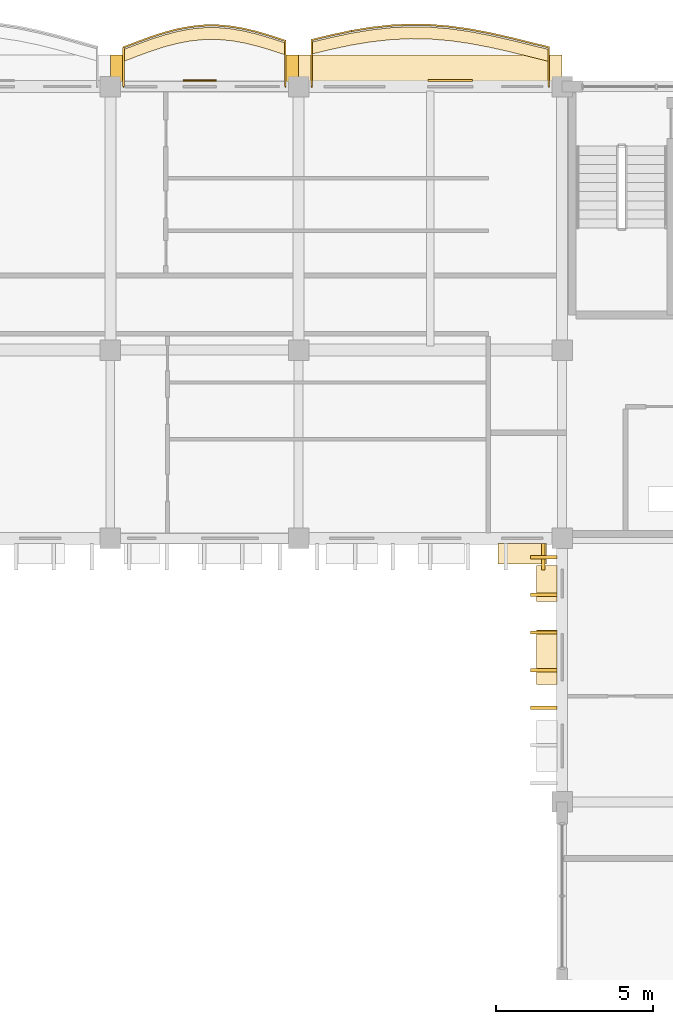
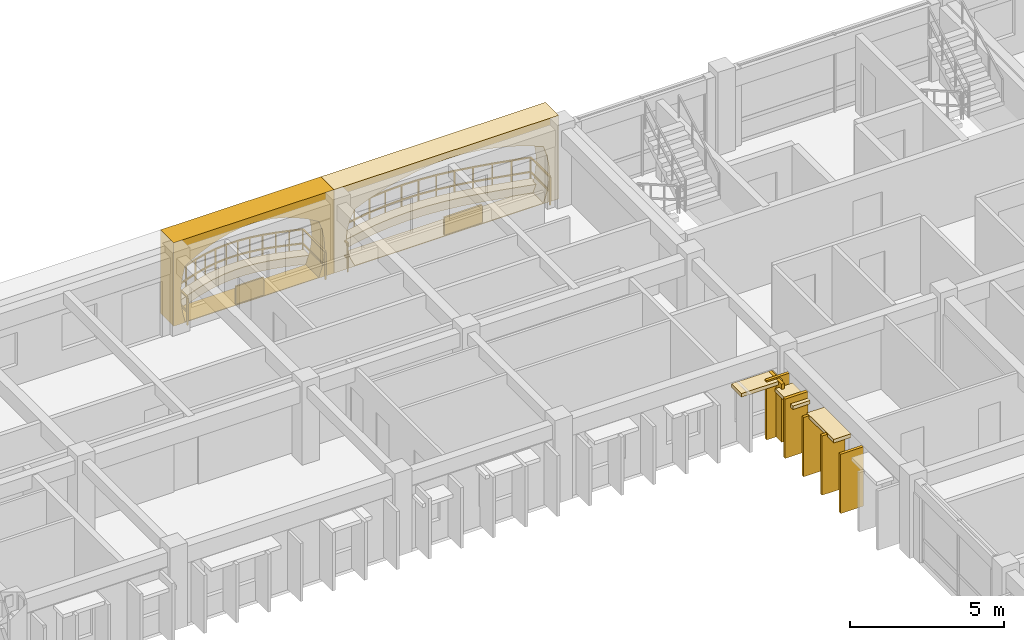
# One storey, part 76 of 79: 15 coverings, 2 railings.
"""IFC4 building model written with IfcOpenShell, lengths in metres."""

from ifc_helpers import new_model, si_unit, direction, frame, origin, origin_2d, place, context, subcontext, project, spatial, polyline, rectangle, outline, extrude, material, layer, layer_set, type_object, element, save


model = new_model("IFC4")

# Units and contexts
model_context = context("Model", 3, precision=1e-05, world=origin(), true_north=direction((0.0, 1.0)))
body_context = subcontext(model_context, "Body", "Model", "MODEL_VIEW")
ifc_project = project(units=[si_unit("LENGTHUNIT", "METRE"), si_unit("AREAUNIT", "SQUARE_METRE"), si_unit("VOLUMEUNIT", "CUBIC_METRE"), si_unit("PLANEANGLEUNIT", "RADIAN"), si_unit("MASSUNIT", "GRAM", prefix="KILO"), si_unit("THERMODYNAMICTEMPERATUREUNIT", "KELVIN")], contexts=[model_context])

# Site, building, storey
site_placement = place(None, origin())
site = spatial("IfcSite", under=ifc_project, at=site_placement, CompositionType="ELEMENT")
building_placement = place(site_placement, origin())
building = spatial("IfcBuilding", under=site, at=building_placement, Name="Thalorik Housing Commons", CompositionType="ELEMENT")
storey_placement = place(building_placement, frame((0.0, 0.0, 11.39990234375)))
storey = spatial("IfcBuildingStorey", under=building, at=storey_placement, Name="L03", CompositionType="ELEMENT", Elevation=11.39990234375)

# Coverings
ifc_material_1 = material(Name="Precast concrete C40/50", Category="concrete")
ifc_layer_1 = layer(ifc_material_1, 0.85009765625, Name="Precast concrete C40/50", Category="concrete")
ifc_layer_set_1 = layer_set([ifc_layer_1], Name="Precast concrete C40/50")
covering_type_1 = type_object("IfcCoveringType", Name="ARC-CLD-CUSH-850", PredefinedType="CLADDING", material=ifc_layer_set_1)
covering_1_placement = place(storey_placement, frame((148.199951171875, 124.18505859375, 0.0), z_axis=(0.0, 0.0, 1.0), x_axis=(-1.0, 0.0, 0.0)))
element("IfcCovering", 1, at=covering_1_placement, inside=storey, type_object=covering_type_1, Name="L03 White Precast Curved Cushion Bay Frame 1854", PredefinedType="CLADDING", context=body_context, shape_type="SweptSolid", body=[
    extrude(outline(polyline([(-4.199951171875, 0.0), (4.199951171875, 0.0), (4.199951171875, 3.300048828125), (-4.199951171875, 3.300048828125), (-4.199951171875, 0.0)]), holes=[polyline([(3.425048828125, 0.02490234375), (3.605712890625, 0.3974609375), (3.7138671875, 0.77001953125), (3.75, 1.142578125), (3.7138671875, 1.514892578125), (3.605712890625, 1.887451171875), (3.425048828125, 2.260009765625), (2.837158203125, 2.497314453125), (2.249267578125, 2.683837890625), (1.6611328125, 2.8349609375), (1.0732421875, 2.947265625), (0.4853515625, 3.0166015625), (-0.1025390625, 3.0400390625), (-0.6904296875, 3.0166015625), (-1.2783203125, 2.947265625), (-1.8662109375, 2.8349609375), (-2.4541015625, 2.683837890625), (-3.0419921875, 2.497314453125), (-3.6298828125, 2.260009765625), (-3.750244140625, 1.887451171875), (-3.822509765625, 1.514892578125), (-3.8466796875, 1.142578125), (-3.822509765625, 0.77001953125), (-3.750244140625, 0.3974609375), (-3.6298828125, 0.02490234375), (3.425048828125, 0.02490234375)])]), frame((0.0, 0.425048828125, 0.0), z_axis=(0.0, -1.0, 0.0), x_axis=(1.0, 0.0, 0.0)), (0.0, 0.0, 1.0), 0.85009765625),
])
covering_2_placement = place(storey_placement, frame((141.0, 124.18505859375, 0.0), z_axis=(0.0, 0.0, 1.0), x_axis=(-1.0, 0.0, 0.0)))
element("IfcCovering", 2, at=covering_2_placement, inside=storey, type_object=covering_type_1, Name="L03 White Precast Curved Cushion Bay Frame 1856", PredefinedType="CLADDING", context=body_context, shape_type="SweptSolid", body=[
    extrude(outline(polyline([(-3.0, 0.0), (3.0, 0.0), (3.0, 3.300048828125), (-3.0, 3.300048828125), (-3.0, 0.0)]), holes=[polyline([(2.5703125, 0.02490234375), (2.660888671875, 0.394287109375), (2.71533203125, 0.76318359375), (2.7333984375, 1.132568359375), (2.71533203125, 1.501708984375), (2.660888671875, 1.870849609375), (2.5703125, 2.239990234375), (2.153564453125, 2.4833984375), (1.73681640625, 2.6748046875), (1.320068359375, 2.82958984375), (0.903564453125, 2.94482421875), (0.48681640625, 3.01611328125), (0.070068359375, 3.0400390625), (-0.3466796875, 3.01611328125), (-0.76318359375, 2.94482421875), (-1.179931640625, 2.82958984375), (-1.5966796875, 2.6748046875), (-2.01318359375, 2.4833984375), (-2.429931640625, 2.239990234375), (-2.55029296875, 1.870849609375), (-2.62255859375, 1.501708984375), (-2.646484375, 1.132568359375), (-2.62255859375, 0.76318359375), (-2.55029296875, 0.394287109375), (-2.429931640625, 0.02490234375), (2.5703125, 0.02490234375)])]), frame((0.0, 0.425048828125, 0.0), z_axis=(0.0, -1.0, 0.0), x_axis=(1.0, 0.0, 0.0)), (0.0, 0.0, 1.0), 0.85009765625),
])
ifc_layer_2 = layer(ifc_material_1, 0.85009765625, Name="Precast concrete C40/50", Category="concrete")
ifc_layer_set_2 = layer_set([ifc_layer_2], Name="Precast concrete C40/50")
covering_type_2 = type_object("IfcCoveringType", Name="ARC-CLD-FIN-850", PredefinedType="CLADDING", material=ifc_layer_set_2)
covering_3_placement = place(storey_placement, frame((151.800048828125, 108.614990234375, 0.0400390625), z_axis=(0.0, 0.0, 1.0), x_axis=(1.0, 0.0, 0.0)))
element("IfcCovering", 3, at=covering_3_placement, inside=storey, type_object=covering_type_2, Name="L03 Courtyard Precast Vertical Brise-Soleil Fin 1954", PredefinedType="CLADDING", context=body_context, shape_type="SweptSolid", body=[
    extrude(rectangle(XDim=0.110107421875, YDim=0.85009765625, at=origin_2d()), origin(), (0.0, 0.0, 1.0), 2.294921875),
])
for number, where, z_axis, x_axis, name in (
    (4, (151.81494140625, 108.60009765625, 0.0400390625), (0.0, 0.0, 1.0), (0.0, -1.0, 0.0), "L03 Courtyard Precast Vertical Brise-Soleil Fin 1958"),
    (5, (151.81494140625, 107.39990234375, 0.0400390625), (0.0, 0.0, 1.0), (0.0, -1.0, 0.0), "L03 Courtyard Precast Vertical Brise-Soleil Fin 1959"),
    (6, (151.81494140625, 106.199951171875, 0.0400390625), (0.0, 0.0, 1.0), (0.0, -1.0, 0.0), "L03 Courtyard Precast Vertical Brise-Soleil Fin 1960"),
    (7, (151.81494140625, 105.0, 0.0400390625), (0.0, 0.0, 1.0), (0.0, -1.0, 0.0), "L03 Courtyard Precast Vertical Brise-Soleil Fin 1961"),
    (8, (151.81494140625, 103.800048828125, 0.0400390625), (0.0, 0.0, 1.0), (0.0, -1.0, 0.0), "L03 Courtyard Precast Vertical Brise-Soleil Fin 1962"),
):
    element("IfcCovering", number, at=place(storey_placement, frame(where, z_axis=z_axis, x_axis=x_axis)), inside=storey, type_object=covering_type_2, Name=name, PredefinedType="CLADDING", context=body_context, shape_type="SweptSolid", body=[
        extrude(rectangle(XDim=0.110107421875, YDim=0.85009765625, at=origin_2d()), origin(), (0.0, 0.0, 1.0), 2.344970703125),
    ])
ifc_layer_3 = layer(ifc_material_1, 0.64990234375, Name="Precast concrete C40/50", Category="concrete")
ifc_layer_set_3 = layer_set([ifc_layer_3], Name="Precast concrete C40/50")
covering_type_3 = type_object("IfcCoveringType", Name="ARC-CLD-HOOD-650", PredefinedType="CLADDING", material=ifc_layer_set_3)
covering_4_placement = place(storey_placement, frame((151.1298828125, 108.715087890625, 2.18994140625), z_axis=(0.0, 0.0, 1.0), x_axis=(1.0, 0.0, 0.0)))
element("IfcCovering", 9, at=covering_4_placement, inside=storey, type_object=covering_type_3, Name="L03 Courtyard Precast Window Sun-Hood 1957", PredefinedType="CLADDING", context=body_context, shape_type="SweptSolid", body=[
    extrude(rectangle(XDim=1.5400390625, YDim=0.64990234375, at=origin_2d()), origin(), (0.0, 0.0, 1.0), 0.139892578125),
])
covering_5_placement = place(storey_placement, frame((151.9150390625, 107.764892578125, 1.990234375), z_axis=(0.0, 0.0, 1.0), x_axis=(0.0, -1.0, 0.0)))
element("IfcCovering", 10, at=covering_5_placement, inside=storey, type_object=covering_type_3, Name="L03 Courtyard Precast Window Sun-Hood 1965", PredefinedType="CLADDING", context=body_context, shape_type="SweptSolid", body=[
    extrude(rectangle(XDim=1.139892578125, YDim=0.64990234375, at=origin_2d()), origin(), (0.0, 0.0, 1.0), 0.139892578125),
])
covering_6_placement = place(storey_placement, frame((151.9150390625, 105.4150390625, 2.275390625), z_axis=(0.0, 0.0, 1.0), x_axis=(0.0, -1.0, 0.0)))
element("IfcCovering", 11, at=covering_6_placement, inside=storey, type_object=covering_type_3, Name="L03 Courtyard Precast Window Sun-Hood 1966", PredefinedType="CLADDING", context=body_context, shape_type="SweptSolid", body=[
    extrude(rectangle(XDim=1.739990234375, YDim=0.64990234375, at=origin_2d()), origin(), (0.0, 0.0, 1.0), 0.139892578125),
])
ifc_material_2 = material(Name="Terracotta red mineral fibre-cement panel", Category="masonry")
ifc_layer_4 = layer(ifc_material_2, 0.054931640625, Name="Terracotta red mineral fibre-cement panel", Category="masonry")
ifc_layer_set_4 = layer_set([ifc_layer_4], Name="Terracotta red mineral fibre-cement panel")
covering_type_4 = type_object("IfcCoveringType", Name="ARC-CLD-RED-55", PredefinedType="CLADDING", material=ifc_layer_set_4)
covering_7_placement = place(storey_placement, frame((140.849853515625, 123.79248046875, 0.05029296875), z_axis=(0.0, 0.0, 1.0), x_axis=(-1.0, 0.0, 0.0)))
element("IfcCovering", 12, at=covering_7_placement, inside=storey, type_object=covering_type_4, Name="L03 De Stijl Recessed Window Spandrel 1857", PredefinedType="CLADDING", context=body_context, shape_type="SweptSolid", body=[
    extrude(rectangle(XDim=1.050048828125, YDim=0.054931640625, at=origin_2d()), origin(), (0.0, 0.0, 1.0), 0.699951171875),
])
ifc_material_3 = material(Name="Mineral ochre architectural terracotta panel", Category="masonry")
ifc_layer_5 = layer(ifc_material_3, 0.06494140625, Name="Mineral ochre architectural terracotta panel", Category="masonry")
ifc_layer_set_5 = layer_set([ifc_layer_5], Name="Mineral ochre architectural terracotta panel")
covering_type_5 = type_object("IfcCoveringType", Name="ARC-CLD-YEL-65", PredefinedType="CLADDING", material=ifc_layer_set_5)
covering_8_placement = place(storey_placement, frame((148.8349609375, 123.797607421875, 0.05029296875), z_axis=(0.0, 0.0, 1.0), x_axis=(-1.0, 0.0, 0.0)))
element("IfcCovering", 13, at=covering_8_placement, inside=storey, type_object=covering_type_5, Name="L03 De Stijl Recessed Window Spandrel 1855", PredefinedType="CLADDING", context=body_context, shape_type="SweptSolid", body=[
    extrude(rectangle(XDim=1.419921875, YDim=0.06494140625, at=origin_2d()), origin(), (0.0, 0.0, 1.0), 0.699951171875),
])
ifc_material_4 = material(Name="Planted vegetated substrate and terracotta trough", Category="masonry")
ifc_layer_6 = layer(ifc_material_4, 0.340087890625, Name="Planted vegetated substrate and terracotta trough", Category="masonry")
ifc_layer_set_6 = layer_set([ifc_layer_6], Name="Planted vegetated substrate and terracotta trough")
covering_type_6 = type_object("IfcCoveringType", Name="ARC-COV-PLANTER", PredefinedType="USERDEFINED", material=ifc_layer_set_6)
covering_9_placement = place(storey_placement, origin())
element("IfcCovering", 14, at=covering_9_placement, inside=storey, type_object=covering_type_6, Name="L03 Balcony Slab-Edge Planted Trough 5442", ObjectType="PLANTER", PredefinedType="USERDEFINED", context=body_context, shape_type="SweptSolid", body=[
    extrude(outline(polyline([(143.580078125, 124.989501953125), (143.14990234375, 125.1318359375), (142.719970703125, 125.260986328125), (142.2900390625, 125.366943359375), (141.860107421875, 125.4423828125), (141.429931640625, 125.481201171875), (141.0, 125.480224609375), (140.570068359375, 125.4384765625), (140.139892578125, 125.358154296875), (139.7099609375, 125.244384765625), (139.280029296875, 125.10400390625), (138.85009765625, 124.946533203125), (138.419921875, 124.781982421875), (138.419921875, 124.402099609375), (138.85009765625, 124.56640625), (139.280029296875, 124.72412109375), (139.7099609375, 124.864501953125), (140.139892578125, 124.978271484375), (140.570068359375, 125.058349609375), (141.0, 125.10009765625), (141.429931640625, 125.101318359375), (141.860107421875, 125.0625), (142.2900390625, 124.987060546875), (142.719970703125, 124.880859375), (143.14990234375, 124.751953125), (143.580078125, 124.609619140625), (143.580078125, 124.989501953125)])), origin(), (0.0, 0.0, 1.0), 0.340087890625),
])
covering_10_placement = place(storey_placement, origin())
element("IfcCovering", 15, at=covering_10_placement, inside=storey, type_object=covering_type_6, Name="L03 Balcony Slab-Edge Planted Trough 5443", ObjectType="PLANTER", PredefinedType="USERDEFINED", context=body_context, shape_type="SweptSolid", body=[
    extrude(outline(polyline([(151.97998046875, 124.78271484375), (151.35009765625, 124.938720703125), (150.719970703125, 125.0927734375), (150.090087890625, 125.234619140625), (149.4599609375, 125.35400390625), (148.830078125, 125.443115234375), (148.199951171875, 125.49560546875), (147.570068359375, 125.507080078125), (146.93994140625, 125.477294921875), (146.31005859375, 125.40771484375), (145.679931640625, 125.302978515625), (145.050048828125, 125.170166015625), (144.419921875, 125.017822265625), (144.419921875, 124.6376953125), (145.050048828125, 124.7900390625), (145.679931640625, 124.923095703125), (146.31005859375, 125.02783203125), (146.93994140625, 125.097412109375), (147.570068359375, 125.127197265625), (148.199951171875, 125.115478515625), (148.830078125, 125.063232421875), (149.4599609375, 124.97412109375), (150.090087890625, 124.8544921875), (150.719970703125, 124.712890625), (151.35009765625, 124.55859375), (151.97998046875, 124.402587890625), (151.97998046875, 124.78271484375)])), origin(), (0.0, 0.0, 1.0), 0.340087890625),
])

# Railings
ifc_material_5 = material(Name="Steel S355", Category="steel")
railing_type_1 = type_object("IfcRailingType", Name="ARC-RL-BAL-112", PredefinedType="BALUSTRADE", material=ifc_material_5)
railing_1_placement = place(storey_placement, frame((143.580078125, 123.60009765625, 0.0)))
element("IfcRailing", 16, at=railing_1_placement, inside=storey, type_object=railing_type_1, Name="L03 Cushion Balcony Guardrail 126", PredefinedType="BALUSTRADE", context=body_context, shape_type="SweptSolid", body=[
    extrude(rectangle(XDim=0.050048828125, YDim=0.050048828125, at=origin_2d()), frame((0.0, 0.0, 1.09521484375), z_axis=(0.0, 1.0, 0.0), x_axis=(-1.0, 0.0, 0.0)), (0.0, 0.0, 1.0), 1.45947265625),
    extrude(rectangle(XDim=0.050048828125, YDim=0.050048828125, at=origin_2d()), frame((0.0, 0.0, 0.53515625), z_axis=(0.0, 1.0, 0.0), x_axis=(-1.0, 0.0, 0.0)), (0.0, 0.0, 1.0), 1.45947265625),
    extrude(rectangle(XDim=0.050048828125, YDim=0.050048828125, at=origin_2d()), frame((0.0, 1.45947265625, 1.09521484375), z_axis=(-0.949381422447, 0.314125635236, 0.0), x_axis=(-0.314125635236, -0.949381422447, 0.0)), (0.0, 0.0, 1.0), 0.453125),
    extrude(rectangle(XDim=0.050048828125, YDim=0.050048828125, at=origin_2d()), frame((0.0, 1.45947265625, 0.53515625), z_axis=(-0.949381422447, 0.314125635236, 0.0), x_axis=(-0.314125635236, -0.949381422447, 0.0)), (0.0, 0.0, 1.0), 0.453125),
    extrude(rectangle(XDim=0.050048828125, YDim=0.050048828125, at=origin_2d()), frame((-0.43017578125, 1.601806640625, 1.09521484375), z_axis=(-0.957871185663, 0.287198174918, 0.0), x_axis=(-0.287198174918, -0.957871185663, 0.0)), (0.0, 0.0, 1.0), 0.44873046875),
    extrude(rectangle(XDim=0.050048828125, YDim=0.050048828125, at=origin_2d()), frame((-0.43017578125, 1.601806640625, 0.53515625), z_axis=(-0.957871185663, 0.287198174918, 0.0), x_axis=(-0.287198174918, -0.957871185663, 0.0)), (0.0, 0.0, 1.0), 0.44873046875),
    extrude(rectangle(XDim=0.050048828125, YDim=0.050048828125, at=origin_2d()), frame((-0.860107421875, 1.730712890625, 1.09521484375), z_axis=(-0.970819679707, 0.23981065342, 0.0), x_axis=(-0.23981065342, -0.970819679707, 0.0)), (0.0, 0.0, 1.0), 0.44287109375),
    extrude(rectangle(XDim=0.050048828125, YDim=0.050048828125, at=origin_2d()), frame((-0.860107421875, 1.730712890625, 0.53515625), z_axis=(-0.970819679707, 0.23981065342, 0.0), x_axis=(-0.23981065342, -0.970819679707, 0.0)), (0.0, 0.0, 1.0), 0.44287109375),
    extrude(rectangle(XDim=0.050048828125, YDim=0.050048828125, at=origin_2d()), frame((-1.2900390625, 1.8369140625, 1.09521484375), z_axis=(-0.984952013954, 0.17282803652, 0.0), x_axis=(-0.17282803652, -0.984952013954, 0.0)), (0.0, 0.0, 1.0), 0.4365234375),
    extrude(rectangle(XDim=0.050048828125, YDim=0.050048828125, at=origin_2d()), frame((-1.2900390625, 1.8369140625, 0.53515625), z_axis=(-0.984952013954, 0.17282803652, 0.0), x_axis=(-0.17282803652, -0.984952013954, 0.0)), (0.0, 0.0, 1.0), 0.4365234375),
    extrude(rectangle(XDim=0.050048828125, YDim=0.050048828125, at=origin_2d()), frame((-1.719970703125, 1.912353515625, 1.09521484375), z_axis=(-0.995953216598, 0.089873190374, 0.0), x_axis=(-0.089873190374, -0.995953216598, 0.0)), (0.0, 0.0, 1.0), 0.431884765625),
    extrude(rectangle(XDim=0.050048828125, YDim=0.050048828125, at=origin_2d()), frame((-1.719970703125, 1.912353515625, 0.53515625), z_axis=(-0.995953216598, 0.089873190374, 0.0), x_axis=(-0.089873190374, -0.995953216598, 0.0)), (0.0, 0.0, 1.0), 0.431884765625),
    extrude(rectangle(XDim=0.050048828125, YDim=0.050048828125, at=origin_2d()), frame((-2.150146484375, 1.951171875, 1.09521484375), z_axis=(-0.999997420298, -0.002271430824, 0.0), x_axis=(0.002271430824, -0.999997420298, 0.0)), (0.0, 0.0, 1.0), 0.429931640625),
    extrude(rectangle(XDim=0.050048828125, YDim=0.050048828125, at=origin_2d()), frame((-2.150146484375, 1.951171875, 0.53515625), z_axis=(-0.999997420298, -0.002271430824, 0.0), x_axis=(0.002271430824, -0.999997420298, 0.0)), (0.0, 0.0, 1.0), 0.429931640625),
    extrude(rectangle(XDim=0.050048828125, YDim=0.050048828125, at=origin_2d()), frame((-2.580078125, 1.9501953125, 1.09521484375), z_axis=(-0.995263970634, -0.097209200993, 0.0), x_axis=(0.097209200993, -0.995263970634, 0.0)), (0.0, 0.0, 1.0), 0.431884765625),
    extrude(rectangle(XDim=0.050048828125, YDim=0.050048828125, at=origin_2d()), frame((-2.580078125, 1.9501953125, 0.53515625), z_axis=(-0.995263970634, -0.097209200993, 0.0), x_axis=(0.097209200993, -0.995263970634, 0.0)), (0.0, 0.0, 1.0), 0.431884765625),
    extrude(rectangle(XDim=0.050048828125, YDim=0.050048828125, at=origin_2d()), frame((-3.010009765625, 1.908203125, 1.09521484375), z_axis=(-0.98311137791, -0.18300824742, 0.0), x_axis=(0.18300824742, -0.98311137791, 0.0)), (0.0, 0.0, 1.0), 0.4375),
    extrude(rectangle(XDim=0.050048828125, YDim=0.050048828125, at=origin_2d()), frame((-3.010009765625, 1.908203125, 0.53515625), z_axis=(-0.98311137791, -0.18300824742, 0.0), x_axis=(0.18300824742, -0.98311137791, 0.0)), (0.0, 0.0, 1.0), 0.4375),
    extrude(rectangle(XDim=0.050048828125, YDim=0.050048828125, at=origin_2d()), frame((-3.440185546875, 1.828125, 1.09521484375), z_axis=(-0.966725195305, -0.25581711585, 0.0), x_axis=(0.25581711585, -0.966725195305, 0.0)), (0.0, 0.0, 1.0), 0.44482421875),
    extrude(rectangle(XDim=0.050048828125, YDim=0.050048828125, at=origin_2d()), frame((-3.440185546875, 1.828125, 0.53515625), z_axis=(-0.966725195305, -0.25581711585, 0.0), x_axis=(0.25581711585, -0.966725195305, 0.0)), (0.0, 0.0, 1.0), 0.44482421875),
    extrude(rectangle(XDim=0.050048828125, YDim=0.050048828125, at=origin_2d()), frame((-3.8701171875, 1.71435546875, 1.09521484375), z_axis=(-0.950608707094, -0.310391826564, 0.0), x_axis=(0.310391826564, -0.950608707094, 0.0)), (0.0, 0.0, 1.0), 0.4521484375),
    extrude(rectangle(XDim=0.050048828125, YDim=0.050048828125, at=origin_2d()), frame((-3.8701171875, 1.71435546875, 0.53515625), z_axis=(-0.950608707094, -0.310391826564, 0.0), x_axis=(0.310391826564, -0.950608707094, 0.0)), (0.0, 0.0, 1.0), 0.4521484375),
    extrude(rectangle(XDim=0.050048828125, YDim=0.050048828125, at=origin_2d()), frame((-4.300048828125, 1.573974609375, 1.09521484375), z_axis=(-0.938996898156, -0.343925610057, 0.0), x_axis=(0.343925610057, -0.938996898156, 0.0)), (0.0, 0.0, 1.0), 0.457763671875),
    extrude(rectangle(XDim=0.050048828125, YDim=0.050048828125, at=origin_2d()), frame((-4.300048828125, 1.573974609375, 0.53515625), z_axis=(-0.938996898156, -0.343925610057, 0.0), x_axis=(0.343925610057, -0.938996898156, 0.0)), (0.0, 0.0, 1.0), 0.457763671875),
    extrude(rectangle(XDim=0.050048828125, YDim=0.050048828125, at=origin_2d()), frame((-4.72998046875, 1.41650390625, 1.09521484375), z_axis=(-0.933999817162, -0.357273482842, 0.0), x_axis=(0.357273482842, -0.933999817162, 0.0)), (0.0, 0.0, 1.0), 0.460693359375),
    extrude(rectangle(XDim=0.050048828125, YDim=0.050048828125, at=origin_2d()), frame((-4.72998046875, 1.41650390625, 0.53515625), z_axis=(-0.933999817162, -0.357273482842, 0.0), x_axis=(0.357273482842, -0.933999817162, 0.0)), (0.0, 0.0, 1.0), 0.460693359375),
    extrude(rectangle(XDim=0.050048828125, YDim=0.050048828125, at=origin_2d()), frame((-5.16015625, 1.251953125, 1.09521484375), z_axis=(0.0, -1.0, 0.0), x_axis=(1.0, 0.0, 0.0)), (0.0, 0.0, 1.0), 1.251953125),
    extrude(rectangle(XDim=0.050048828125, YDim=0.050048828125, at=origin_2d()), frame((-5.16015625, 1.251953125, 0.53515625), z_axis=(0.0, -1.0, 0.0), x_axis=(1.0, 0.0, 0.0)), (0.0, 0.0, 1.0), 1.251953125),
    extrude(rectangle(XDim=0.0419921875, YDim=0.0419921875, at=origin_2d()), origin(), (0.0, 0.0, 1.0), 1.070068359375),
    extrude(rectangle(XDim=0.0419921875, YDim=0.0419921875, at=origin_2d()), frame((0.0, 1.45947265625, 0.0)), (0.0, 0.0, 1.0), 1.070068359375),
    extrude(rectangle(XDim=0.0419921875, YDim=0.0419921875, at=origin_2d()), frame((-0.43017578125, 1.601806640625, 0.0)), (0.0, 0.0, 1.0), 1.070068359375),
    extrude(rectangle(XDim=0.0419921875, YDim=0.0419921875, at=origin_2d()), frame((-0.860107421875, 1.730712890625, 0.0)), (0.0, 0.0, 1.0), 1.070068359375),
    extrude(rectangle(XDim=0.0419921875, YDim=0.0419921875, at=origin_2d()), frame((-1.2900390625, 1.8369140625, 0.0)), (0.0, 0.0, 1.0), 1.070068359375),
    extrude(rectangle(XDim=0.0419921875, YDim=0.0419921875, at=origin_2d()), frame((-1.719970703125, 1.912353515625, 0.0)), (0.0, 0.0, 1.0), 1.070068359375),
    extrude(rectangle(XDim=0.0419921875, YDim=0.0419921875, at=origin_2d()), frame((-2.150146484375, 1.951171875, 0.0)), (0.0, 0.0, 1.0), 1.070068359375),
    extrude(rectangle(XDim=0.0419921875, YDim=0.0419921875, at=origin_2d()), frame((-2.580078125, 1.9501953125, 0.0)), (0.0, 0.0, 1.0), 1.070068359375),
    extrude(rectangle(XDim=0.0419921875, YDim=0.0419921875, at=origin_2d()), frame((-3.010009765625, 1.908203125, 0.0)), (0.0, 0.0, 1.0), 1.070068359375),
    extrude(rectangle(XDim=0.0419921875, YDim=0.0419921875, at=origin_2d()), frame((-3.440185546875, 1.828125, 0.0)), (0.0, 0.0, 1.0), 1.070068359375),
    extrude(rectangle(XDim=0.0419921875, YDim=0.0419921875, at=origin_2d()), frame((-3.8701171875, 1.71435546875, 0.0)), (0.0, 0.0, 1.0), 1.070068359375),
    extrude(rectangle(XDim=0.0419921875, YDim=0.0419921875, at=origin_2d()), frame((-4.300048828125, 1.573974609375, 0.0)), (0.0, 0.0, 1.0), 1.070068359375),
    extrude(rectangle(XDim=0.0419921875, YDim=0.0419921875, at=origin_2d()), frame((-4.72998046875, 1.41650390625, 0.0)), (0.0, 0.0, 1.0), 1.070068359375),
    extrude(rectangle(XDim=0.0419921875, YDim=0.0419921875, at=origin_2d()), frame((-5.16015625, 1.251953125, 0.0)), (0.0, 0.0, 1.0), 1.070068359375),
    extrude(rectangle(XDim=0.0419921875, YDim=0.0419921875, at=origin_2d()), frame((-5.16015625, 0.0, 0.0)), (0.0, 0.0, 1.0), 1.070068359375),
])
railing_type_2 = type_object("IfcRailingType", Name="ARC-RL-BAL-115", PredefinedType="BALUSTRADE", material=ifc_material_5)
railing_2_placement = place(storey_placement, frame((151.97998046875, 123.60009765625, 0.0)))
element("IfcRailing", 17, at=railing_2_placement, inside=storey, type_object=railing_type_2, Name="L03 Cushion Balcony Guardrail 127", PredefinedType="BALUSTRADE", context=body_context, shape_type="SweptSolid", body=[
    extrude(rectangle(XDim=0.050048828125, YDim=0.050048828125, at=origin_2d()), frame((0.0, 0.0, 1.125), z_axis=(0.0, 1.0, 0.0), x_axis=(-1.0, 0.0, 0.0)), (0.0, 0.0, 1.0), 1.25244140625),
    extrude(rectangle(XDim=0.050048828125, YDim=0.050048828125, at=origin_2d()), frame((0.0, 0.0, 0.5498046875), z_axis=(0.0, 1.0, 0.0), x_axis=(-1.0, 0.0, 0.0)), (0.0, 0.0, 1.0), 1.25244140625),
    extrude(rectangle(XDim=0.050048828125, YDim=0.050048828125, at=origin_2d()), frame((0.0, 1.25244140625, 1.125), z_axis=(-0.970583467402, 0.240764891139, 0.0), x_axis=(-0.240764891139, -0.970583467402, 0.0)), (0.0, 0.0, 1.0), 0.64892578125),
    extrude(rectangle(XDim=0.050048828125, YDim=0.050048828125, at=origin_2d()), frame((0.0, 1.25244140625, 0.5498046875), z_axis=(-0.970583467402, 0.240764891139, 0.0), x_axis=(-0.240764891139, -0.970583467402, 0.0)), (0.0, 0.0, 1.0), 0.64892578125),
    extrude(rectangle(XDim=0.050048828125, YDim=0.050048828125, at=origin_2d()), frame((-0.6298828125, 1.40869140625, 1.125), z_axis=(-0.971391289327, 0.237484658491, 0.0), x_axis=(-0.237484658491, -0.971391289328, 0.0)), (0.0, 0.0, 1.0), 0.648681640625),
    extrude(rectangle(XDim=0.050048828125, YDim=0.050048828125, at=origin_2d()), frame((-0.6298828125, 1.40869140625, 0.5498046875), z_axis=(-0.971391289327, 0.237484658491, 0.0), x_axis=(-0.237484658491, -0.971391289328, 0.0)), (0.0, 0.0, 1.0), 0.648681640625),
    extrude(rectangle(XDim=0.050048828125, YDim=0.050048828125, at=origin_2d()), frame((-1.260009765625, 1.562744140625, 1.125), z_axis=(-0.975569249929, 0.219692145042, 0.0), x_axis=(-0.219692145042, -0.975569249929, 0.0)), (0.0, 0.0, 1.0), 0.645751953125),
    extrude(rectangle(XDim=0.050048828125, YDim=0.050048828125, at=origin_2d()), frame((-1.260009765625, 1.562744140625, 0.5498046875), z_axis=(-0.975569249929, 0.219692145042, 0.0), x_axis=(-0.219692145042, -0.975569249929, 0.0)), (0.0, 0.0, 1.0), 0.645751953125),
    extrude(rectangle(XDim=0.050048828125, YDim=0.050048828125, at=origin_2d()), frame((-1.889892578125, 1.70458984375, 1.125), z_axis=(-0.982521352242, 0.186149919119, 0.0), x_axis=(-0.186149919119, -0.982521352242, 0.0)), (0.0, 0.0, 1.0), 0.641357421875),
    extrude(rectangle(XDim=0.050048828125, YDim=0.050048828125, at=origin_2d()), frame((-1.889892578125, 1.70458984375, 0.5498046875), z_axis=(-0.982521352242, 0.186149919119, 0.0), x_axis=(-0.186149919119, -0.982521352242, 0.0)), (0.0, 0.0, 1.0), 0.641357421875),
    extrude(rectangle(XDim=0.050048828125, YDim=0.050048828125, at=origin_2d()), frame((-2.52001953125, 1.823974609375, 1.125), z_axis=(-0.990140470078, 0.14007801224, 0.0), x_axis=(-0.14007801224, -0.990140470078, 0.0)), (0.0, 0.0, 1.0), 0.63623046875),
    extrude(rectangle(XDim=0.050048828125, YDim=0.050048828125, at=origin_2d()), frame((-2.52001953125, 1.823974609375, 0.5498046875), z_axis=(-0.990140470078, 0.14007801224, 0.0), x_axis=(-0.14007801224, -0.990140470078, 0.0)), (0.0, 0.0, 1.0), 0.63623046875),
    extrude(rectangle(XDim=0.050048828125, YDim=0.050048828125, at=origin_2d()), frame((-3.14990234375, 1.9130859375, 1.125), z_axis=(-0.996580289475, 0.082630058872, 0.0), x_axis=(-0.082630058872, -0.996580289475, 0.0)), (0.0, 0.0, 1.0), 0.63232421875),
    extrude(rectangle(XDim=0.050048828125, YDim=0.050048828125, at=origin_2d()), frame((-3.14990234375, 1.9130859375, 0.5498046875), z_axis=(-0.996580289475, 0.082630058872, 0.0), x_axis=(-0.082630058872, -0.996580289475, 0.0)), (0.0, 0.0, 1.0), 0.63232421875),
    extrude(rectangle(XDim=0.050048828125, YDim=0.050048828125, at=origin_2d()), frame((-3.780029296875, 1.96533203125, 1.125), z_axis=(-0.999826978393, 0.018601432156, 0.0), x_axis=(-0.018601432156, -0.999826978393, 0.0)), (0.0, 0.0, 1.0), 0.6298828125),
    extrude(rectangle(XDim=0.050048828125, YDim=0.050048828125, at=origin_2d()), frame((-3.780029296875, 1.96533203125, 0.5498046875), z_axis=(-0.999826978393, 0.018601432156, 0.0), x_axis=(-0.018601432156, -0.999826978393, 0.0)), (0.0, 0.0, 1.0), 0.6298828125),
    extrude(rectangle(XDim=0.050048828125, YDim=0.050048828125, at=origin_2d()), frame((-4.409912109375, 1.97705078125, 1.125), z_axis=(-0.998884713002, -0.047215782637, 0.0), x_axis=(0.047215782637, -0.998884713002, 0.0)), (0.0, 0.0, 1.0), 0.630859375),
    extrude(rectangle(XDim=0.050048828125, YDim=0.050048828125, at=origin_2d()), frame((-4.409912109375, 1.97705078125, 0.5498046875), z_axis=(-0.998884713002, -0.047215782637, 0.0), x_axis=(0.047215782637, -0.998884713002, 0.0)), (0.0, 0.0, 1.0), 0.630859375),
    extrude(rectangle(XDim=0.050048828125, YDim=0.050048828125, at=origin_2d()), frame((-5.0400390625, 1.947265625, 1.125), z_axis=(-0.993954005493, -0.109797244793, 0.0), x_axis=(0.109797244793, -0.993954005493, 0.0)), (0.0, 0.0, 1.0), 0.6337890625),
    extrude(rectangle(XDim=0.050048828125, YDim=0.050048828125, at=origin_2d()), frame((-5.0400390625, 1.947265625, 0.5498046875), z_axis=(-0.993954005493, -0.109797244793, 0.0), x_axis=(0.109797244793, -0.993954005493, 0.0)), (0.0, 0.0, 1.0), 0.6337890625),
    extrude(rectangle(XDim=0.050048828125, YDim=0.050048828125, at=origin_2d()), frame((-5.669921875, 1.877685546875, 1.125), z_axis=(-0.98646613711, -0.163965119264, 0.0), x_axis=(0.163965119264, -0.98646613711, 0.0)), (0.0, 0.0, 1.0), 0.638671875),
    extrude(rectangle(XDim=0.050048828125, YDim=0.050048828125, at=origin_2d()), frame((-5.669921875, 1.877685546875, 0.5498046875), z_axis=(-0.98646613711, -0.163965119264, 0.0), x_axis=(0.163965119264, -0.98646613711, 0.0)), (0.0, 0.0, 1.0), 0.638671875),
    extrude(rectangle(XDim=0.050048828125, YDim=0.050048828125, at=origin_2d()), frame((-6.300048828125, 1.77294921875, 1.125), z_axis=(-0.978408728904, -0.206679363276, 0.0), x_axis=(0.206679363276, -0.978408728904, 0.0)), (0.0, 0.0, 1.0), 0.643798828125),
    extrude(rectangle(XDim=0.050048828125, YDim=0.050048828125, at=origin_2d()), frame((-6.300048828125, 1.77294921875, 0.5498046875), z_axis=(-0.978408728904, -0.206679363276, 0.0), x_axis=(0.206679363276, -0.978408728904, 0.0)), (0.0, 0.0, 1.0), 0.643798828125),
    extrude(rectangle(XDim=0.050048828125, YDim=0.050048828125, at=origin_2d()), frame((-6.929931640625, 1.639892578125, 1.125), z_axis=(-0.972082208573, -0.234640533104, 0.0), x_axis=(0.234640533104, -0.972082208573, 0.0)), (0.0, 0.0, 1.0), 0.648193359375),
    extrude(rectangle(XDim=0.050048828125, YDim=0.050048828125, at=origin_2d()), frame((-6.929931640625, 1.639892578125, 0.5498046875), z_axis=(-0.972082208573, -0.234640533104, 0.0), x_axis=(0.234640533104, -0.972082208573, 0.0)), (0.0, 0.0, 1.0), 0.648193359375),
    extrude(rectangle(XDim=0.050048828125, YDim=0.050048828125, at=origin_2d()), frame((-7.56005859375, 1.48779296875, 1.125), z_axis=(0.0, -1.0, 0.0), x_axis=(1.0, 0.0, 0.0)), (0.0, 0.0, 1.0), 1.48779296875),
    extrude(rectangle(XDim=0.050048828125, YDim=0.050048828125, at=origin_2d()), frame((-7.56005859375, 1.48779296875, 0.5498046875), z_axis=(0.0, -1.0, 0.0), x_axis=(1.0, 0.0, 0.0)), (0.0, 0.0, 1.0), 1.48779296875),
    extrude(rectangle(XDim=0.0419921875, YDim=0.0419921875, at=origin_2d()), origin(), (0.0, 0.0, 1.0), 1.099853515625),
    extrude(rectangle(XDim=0.0419921875, YDim=0.0419921875, at=origin_2d()), frame((0.0, 1.25244140625, 0.0)), (0.0, 0.0, 1.0), 1.099853515625),
    extrude(rectangle(XDim=0.0419921875, YDim=0.0419921875, at=origin_2d()), frame((-0.6298828125, 1.40869140625, 0.0)), (0.0, 0.0, 1.0), 1.099853515625),
    extrude(rectangle(XDim=0.0419921875, YDim=0.0419921875, at=origin_2d()), frame((-1.260009765625, 1.562744140625, 0.0)), (0.0, 0.0, 1.0), 1.099853515625),
    extrude(rectangle(XDim=0.0419921875, YDim=0.0419921875, at=origin_2d()), frame((-1.889892578125, 1.70458984375, 0.0)), (0.0, 0.0, 1.0), 1.099853515625),
    extrude(rectangle(XDim=0.0419921875, YDim=0.0419921875, at=origin_2d()), frame((-2.52001953125, 1.823974609375, 0.0)), (0.0, 0.0, 1.0), 1.099853515625),
    extrude(rectangle(XDim=0.0419921875, YDim=0.0419921875, at=origin_2d()), frame((-3.14990234375, 1.9130859375, 0.0)), (0.0, 0.0, 1.0), 1.099853515625),
    extrude(rectangle(XDim=0.0419921875, YDim=0.0419921875, at=origin_2d()), frame((-3.780029296875, 1.96533203125, 0.0)), (0.0, 0.0, 1.0), 1.099853515625),
    extrude(rectangle(XDim=0.0419921875, YDim=0.0419921875, at=origin_2d()), frame((-4.409912109375, 1.97705078125, 0.0)), (0.0, 0.0, 1.0), 1.099853515625),
    extrude(rectangle(XDim=0.0419921875, YDim=0.0419921875, at=origin_2d()), frame((-5.0400390625, 1.947265625, 0.0)), (0.0, 0.0, 1.0), 1.099853515625),
    extrude(rectangle(XDim=0.0419921875, YDim=0.0419921875, at=origin_2d()), frame((-5.669921875, 1.877685546875, 0.0)), (0.0, 0.0, 1.0), 1.099853515625),
    extrude(rectangle(XDim=0.0419921875, YDim=0.0419921875, at=origin_2d()), frame((-6.300048828125, 1.77294921875, 0.0)), (0.0, 0.0, 1.0), 1.099853515625),
    extrude(rectangle(XDim=0.0419921875, YDim=0.0419921875, at=origin_2d()), frame((-6.929931640625, 1.639892578125, 0.0)), (0.0, 0.0, 1.0), 1.099853515625),
    extrude(rectangle(XDim=0.0419921875, YDim=0.0419921875, at=origin_2d()), frame((-7.56005859375, 1.48779296875, 0.0)), (0.0, 0.0, 1.0), 1.099853515625),
    extrude(rectangle(XDim=0.0419921875, YDim=0.0419921875, at=origin_2d()), frame((-7.56005859375, 0.0, 0.0)), (0.0, 0.0, 1.0), 1.099853515625),
])

save(model, "model.ifc")
